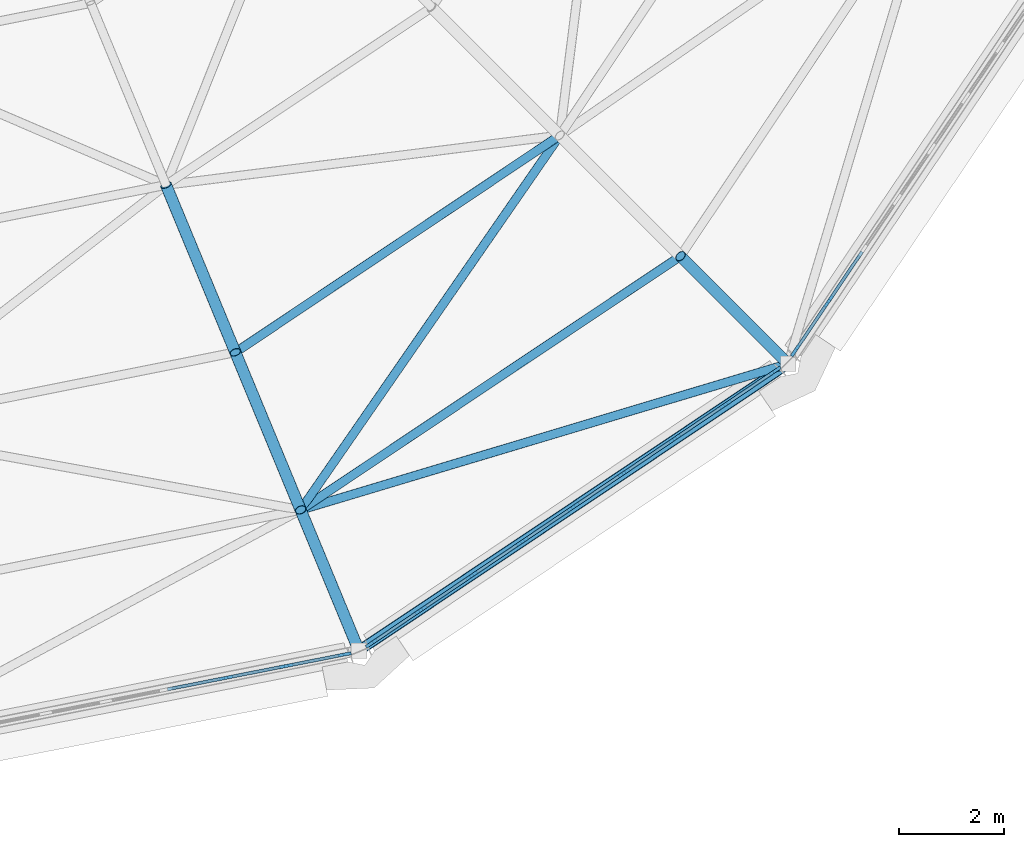
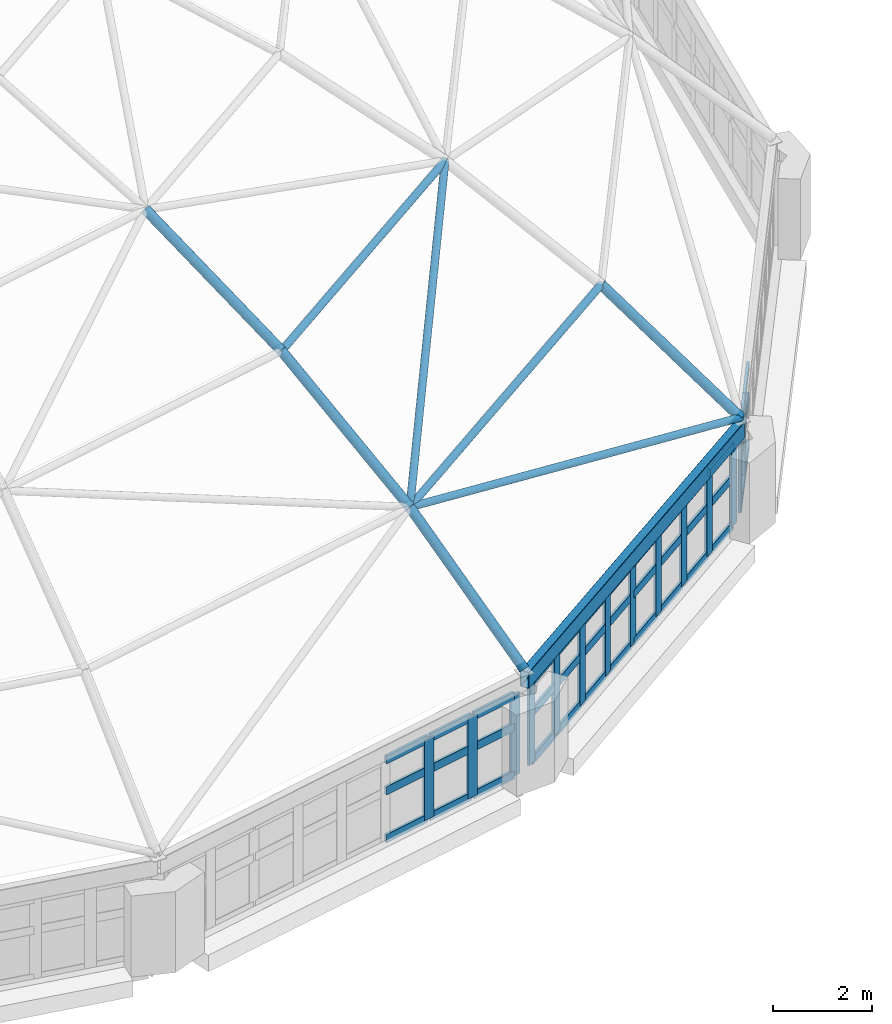
# One storey, part 14 of 68: 61 members, 1 beam, 3 elements without a shape of their own.
"""IFC4 building model written with IfcOpenShell, lengths in metres."""

from ifc_helpers import new_model, si_unit, direction, frame, origin, origin_2d, place, context, subcontext, project, spatial, rectangle, hollow_rectangle, hollow_circle, extrude, material, material_profile, profile_set, type_object, element, aggregate, save


model = new_model("IFC4")

# Units and contexts
model_context = context("Model", 3, precision=1e-05, world=origin(), true_north=direction((0.0, 1.0)))
body_context = subcontext(model_context, "Body", "Model", "MODEL_VIEW")
ifc_project = project(units=[si_unit("LENGTHUNIT", "METRE"), si_unit("AREAUNIT", "SQUARE_METRE"), si_unit("VOLUMEUNIT", "CUBIC_METRE"), si_unit("PLANEANGLEUNIT", "RADIAN"), si_unit("MASSUNIT", "GRAM", prefix="KILO")], contexts=[model_context])

# Site, building, storey
site_placement = place(None, origin())
site = spatial("IfcSite", under=ifc_project, at=site_placement, CompositionType="ELEMENT")
building_placement = place(site_placement, origin())
building = spatial("IfcBuilding", under=site, at=building_placement, Name="Kupolbacken Congress Centre", CompositionType="ELEMENT")
storey_placement = place(building_placement, frame((0.0, 0.0, 25.199951171875)))
storey = spatial("IfcBuildingStorey", under=building, at=storey_placement, Name="L07", CompositionType="ELEMENT", Elevation=25.199951171875)

# Beam
ifc_material_1 = material(Name="Steel S355", Category="steel")
ifc_material_profile_1 = material_profile(ifc_material_1, hollow_rectangle(XDim=0.199951171875, YDim=0.39990234375, WallThickness=0.012451171875, InnerFilletRadius=0.012451171875, OuterFilletRadius=0.018798828125, at=origin_2d()), Name="RHS 400 x 200 x 12.5")
ifc_profile_set_1 = profile_set([ifc_material_profile_1], Name="Steel S355")
beam_type = type_object("IfcBeamType", Name="B19 ring beam RHS 400 x 200 x 12.5", PredefinedType="BEAM", material=ifc_profile_set_1)
beam_placement = place(storey_placement, frame((52.860107421875, 63.12939453125, 2.590087890625), z_axis=(0.831474515513, 0.555562894777, 0.0), x_axis=(-0.555562894777, 0.831474515513, 0.0)))
element("IfcBeam", 1, at=beam_placement, inside=storey, type_object=beam_type, Name="DM/RB/14", PredefinedType="BEAM", context=body_context, shape_type="SweptSolid", body=[
    extrude(hollow_rectangle(XDim=0.199951171875, YDim=0.39990234375, WallThickness=0.012451171875, InnerFilletRadius=0.012451171875, OuterFilletRadius=0.018798828125, at=origin_2d()), origin(), (0.0, 0.0, 1.0), 9.792724609375),
])

# Members
ifc_material_2 = material(Name="Steel S355", Category="steel")
ifc_material_profile_2 = material_profile(ifc_material_2, hollow_circle(Radius=0.109619140625, WallThickness=0.010009765625, at=origin_2d()), Name="CHS 219.1 x 10")
ifc_profile_set_2 = profile_set([ifc_material_profile_2], Name="Steel S355")
member_type_1 = type_object("IfcMemberType", Name="M15 dome rib CHS 219.1 x 10", PredefinedType="BRACE", material=ifc_profile_set_2)
member_1_placement = place(storey_placement, frame((52.843505859375, 63.1181640625, 2.86279296875), z_axis=(-0.278245064501, 0.671889897228, 0.686399045806), x_axis=(-0.923909109827, -0.382612018603, 0.0)))
element("IfcMember", 2, at=member_1_placement, inside=storey, type_object=member_type_1, Name="DM/RIB01-14", PredefinedType="BRACE", context=body_context, shape_type="SweptSolid", body=[
    extrude(hollow_circle(Radius=0.109619140625, WallThickness=0.010009765625, at=origin_2d()), origin(), (0.0, 0.0, 1.0), 3.988037109375),
])
member_2_placement = place(storey_placement, frame((61.01904296875, 68.580810546875, 2.86279296875), z_axis=(-0.51419137092, 0.514252591467, 0.686404768515), x_axis=(-0.707148872128, -0.707064687739, 0.0)))
element("IfcMember", 3, at=member_2_placement, inside=storey, type_object=member_type_1, Name="DM/RIB01-15", PredefinedType="BRACE", context=body_context, shape_type="SweptSolid", body=[
    extrude(hollow_circle(Radius=0.109619140625, WallThickness=0.010009765625, at=origin_2d()), origin(), (0.0, 0.0, 1.0), 3.98779296875),
])
member_3_placement = place(storey_placement, frame((51.73388671875, 65.797607421875, 5.60009765625), z_axis=(-0.305577803829, 0.737729845207, 0.60197747574), x_axis=(-0.923879489751, -0.382683535598, 0.0)))
element("IfcMember", 4, at=member_3_placement, inside=storey, type_object=member_type_1, Name="DM/RIB02-14", PredefinedType="BRACE", context=body_context, shape_type="SweptSolid", body=[
    extrude(hollow_circle(Radius=0.109619140625, WallThickness=0.010009765625, at=origin_2d()), origin(), (0.0, 0.0, 1.0), 4.06982421875),
])
member_4_placement = place(storey_placement, frame((50.490234375, 68.800048828125, 8.050048828125), z_axis=(-0.331079277244, 0.799291982933, 0.501516538311), x_axis=(-0.923878838758, -0.38268510723, 0.0)))
element("IfcMember", 5, at=member_4_placement, inside=storey, type_object=member_type_1, Name="DM/RIB03-14", PredefinedType="BRACE", context=body_context, shape_type="SweptSolid", body=[
    extrude(hollow_circle(Radius=0.109619140625, WallThickness=0.010009765625, at=origin_2d()), origin(), (0.0, 0.0, 1.0), 3.98779296875),
])
ifc_material_3 = material(Name="Steel S355", Category="steel")
ifc_material_profile_3 = material_profile(ifc_material_3, hollow_circle(Radius=0.084228515625, WallThickness=0.008056640625, at=origin_2d()), Name="CHS 168.3 x 8")
ifc_profile_set_3 = profile_set([ifc_material_profile_3], Name="Steel S355")
member_type_2 = type_object("IfcMemberType", Name="M16 dome rib CHS 168.3 x 8", PredefinedType="BRACE", material=ifc_profile_set_3)
member_5_placement = place(storey_placement, frame((51.73388671875, 65.797607421875, 5.60009765625), z_axis=(0.92184175876, 0.276319837239, -0.271762983783), x_axis=(-0.287126051842, 0.95789280734, 0.0)))
element("IfcMember", 6, at=member_5_placement, inside=storey, type_object=member_type_2, Name="DM/DIA01-14", PredefinedType="BRACE", context=body_context, shape_type="SweptSolid", body=[
    extrude(hollow_circle(Radius=0.084228515625, WallThickness=0.008056640625, at=origin_2d()), origin(), (0.0, 0.0, 1.0), 10.072509765625),
])
member_6_placement = place(storey_placement, frame((51.73388671875, 65.797607421875, 5.60009765625), z_axis=(0.547698245292, 0.791291238363, 0.271817600964), x_axis=(-0.822249944467, 0.569126549041, 0.0)))
element("IfcMember", 7, at=member_6_placement, inside=storey, type_object=member_type_2, Name="DM/DIA02-14", PredefinedType="BRACE", context=body_context, shape_type="SweptSolid", body=[
    extrude(hollow_circle(Radius=0.084228515625, WallThickness=0.008056640625, at=origin_2d()), origin(), (0.0, 0.0, 1.0), 9.01318359375),
])
ifc_material_4 = material(Name="Steel S355", Category="steel")
ifc_material_profile_4 = material_profile(ifc_material_4, hollow_circle(Radius=0.084228515625, WallThickness=0.008056640625, at=origin_2d()), Name="CHS 168.3 x 8")
ifc_profile_set_4 = profile_set([ifc_material_profile_4], Name="Steel S355")
member_type_3 = type_object("IfcMemberType", Name="M17 dome ring CHS 168.3 x 8", PredefinedType="BRACE", material=ifc_profile_set_4)
member_7_placement = place(storey_placement, frame((51.73388671875, 65.797607421875, 5.60009765625), z_axis=(0.831471395516, 0.555567564243, 0.0), x_axis=(-0.555567564243, 0.831471395516, 0.0)))
element("IfcMember", 8, at=member_7_placement, inside=storey, type_object=member_type_3, Name="DM/RNG01-14", PredefinedType="BRACE", context=body_context, shape_type="SweptSolid", body=[
    extrude(hollow_circle(Radius=0.084228515625, WallThickness=0.008056640625, at=origin_2d()), origin(), (0.0, 0.0, 1.0), 8.700927734375),
])
member_8_placement = place(storey_placement, frame((50.490234375, 68.800048828125, 8.050048828125), z_axis=(0.831458597311, 0.555586717766, 0.0), x_axis=(-0.555586717766, 0.831458597311, 0.0)))
element("IfcMember", 9, at=member_8_placement, inside=storey, type_object=member_type_3, Name="DM/RNG02-14", PredefinedType="BRACE", context=body_context, shape_type="SweptSolid", body=[
    extrude(hollow_circle(Radius=0.084228515625, WallThickness=0.008056640625, at=origin_2d()), origin(), (0.0, 0.0, 1.0), 7.432861328125),
])

# Curtain wall, members
ifc_material_5 = material(Name="Aluminium mullion-transom frame with glass", Category="aluminium")
curtain_wall_type = type_object("IfcCurtainWallType", Name="CW3 curtain wall 9830x3600", PredefinedType="NOTDEFINED", material=ifc_material_5)
curtain_wall_1_placement = place(storey_placement, origin())
curtain_wall_1 = element("IfcCurtainWall", 10, at=curtain_wall_1_placement, inside=storey, type_object=curtain_wall_type, Name="E/P/drum/cw/L07/04", PredefinedType="NOTDEFINED")
ifc_material_6 = material(Name="Aluminium alloy", Category="aluminium")
ifc_material_profile_5 = material_profile(ifc_material_6, rectangle(XDim=0.06005859375, YDim=0.25, at=origin_2d()), Name="60 x 250")
ifc_profile_set_5 = profile_set([ifc_material_profile_5], Name="Aluminium alloy")
member_type_4 = type_object("IfcMemberType", Name="MU3 mullion 60x250", PredefinedType="MULLION", material=ifc_profile_set_5)
member_9_placement = place(storey_placement, frame((50.31494140625, 62.600830078125, 0.400146484375), z_axis=(0.0, 0.0, 1.0), x_axis=(-0.193182327812, 0.981162875481, 0.0)))
member_9 = element("IfcMember", 11, at=member_9_placement, type_object=member_type_4, Name="CW3 mullion 7", PredefinedType="MULLION", context=body_context, shape_type="SweptSolid", body=[
    extrude(rectangle(XDim=0.06005859375, YDim=0.25, at=origin_2d()), origin(), (0.0, 0.0, 1.0), 1.989990234375),
])
member_10_placement = place(storey_placement, frame((51.459716796875, 62.826171875, 0.400146484375), z_axis=(0.0, 0.0, 1.0), x_axis=(-0.193182327812, 0.981162875481, 0.0)))
member_10 = element("IfcMember", 12, at=member_10_placement, type_object=member_type_4, Name="CW3 mullion 8", PredefinedType="MULLION", context=body_context, shape_type="SweptSolid", body=[
    extrude(rectangle(XDim=0.06005859375, YDim=0.25, at=origin_2d()), origin(), (0.0, 0.0, 1.0), 1.989990234375),
])
member_11_placement = place(storey_placement, frame((52.5751953125, 63.0458984375, 0.400146484375), z_axis=(0.0, 0.0, 1.0), x_axis=(-0.193182327812, 0.981162875481, 0.0)))
member_11 = element("IfcMember", 13, at=member_11_placement, type_object=member_type_4, Name="CW3 mullion 9", PredefinedType="MULLION", context=body_context, shape_type="SweptSolid", body=[
    extrude(rectangle(XDim=0.06005859375, YDim=0.25, at=origin_2d()), origin(), (0.0, 0.0, 1.0), 1.989990234375),
])

curtain_wall_2_placement = place(storey_placement, origin())
curtain_wall_2 = element("IfcCurtainWall", 14, at=curtain_wall_2_placement, inside=storey, type_object=curtain_wall_type, Name="E/P/drum/cw/L07/05", PredefinedType="NOTDEFINED")
member_12_placement = place(storey_placement, frame((53.08203125, 63.256591796875, 0.400146484375), z_axis=(0.0, 0.0, 1.0), x_axis=(-0.559385512775, 0.82890762338, 0.0)))
member_12 = element("IfcMember", 15, at=member_12_placement, type_object=member_type_4, Name="CW3 mullion 1", PredefinedType="MULLION", context=body_context, shape_type="SweptSolid", body=[
    extrude(rectangle(XDim=0.06005859375, YDim=0.25, at=origin_2d()), origin(), (0.0, 0.0, 1.0), 1.989990234375),
])
member_13_placement = place(storey_placement, frame((54.024169921875, 63.892333984375, 0.400146484375), z_axis=(0.0, 0.0, 1.0), x_axis=(-0.559385512775, 0.82890762338, 0.0)))
member_13 = element("IfcMember", 16, at=member_13_placement, type_object=member_type_4, Name="CW3 mullion 2", PredefinedType="MULLION", context=body_context, shape_type="SweptSolid", body=[
    extrude(rectangle(XDim=0.06005859375, YDim=0.25, at=origin_2d()), origin(), (0.0, 0.0, 1.0), 1.989990234375),
])
member_14_placement = place(storey_placement, frame((54.9912109375, 64.544921875, 0.400146484375), z_axis=(0.0, 0.0, 1.0), x_axis=(-0.559385512775, 0.82890762338, 0.0)))
member_14 = element("IfcMember", 17, at=member_14_placement, type_object=member_type_4, Name="CW3 mullion 3", PredefinedType="MULLION", context=body_context, shape_type="SweptSolid", body=[
    extrude(rectangle(XDim=0.06005859375, YDim=0.25, at=origin_2d()), origin(), (0.0, 0.0, 1.0), 1.989990234375),
])
member_15_placement = place(storey_placement, frame((55.9580078125, 65.197509765625, 0.400146484375), z_axis=(0.0, 0.0, 1.0), x_axis=(-0.559385512775, 0.82890762338, 0.0)))
member_15 = element("IfcMember", 18, at=member_15_placement, type_object=member_type_4, Name="CW3 mullion 4", PredefinedType="MULLION", context=body_context, shape_type="SweptSolid", body=[
    extrude(rectangle(XDim=0.06005859375, YDim=0.25, at=origin_2d()), origin(), (0.0, 0.0, 1.0), 1.989990234375),
])
member_16_placement = place(storey_placement, frame((56.925048828125, 65.85009765625, 0.400146484375), z_axis=(0.0, 0.0, 1.0), x_axis=(-0.559385512775, 0.82890762338, 0.0)))
member_16 = element("IfcMember", 19, at=member_16_placement, type_object=member_type_4, Name="CW3 mullion 5", PredefinedType="MULLION", context=body_context, shape_type="SweptSolid", body=[
    extrude(rectangle(XDim=0.06005859375, YDim=0.25, at=origin_2d()), origin(), (0.0, 0.0, 1.0), 1.989990234375),
])
member_17_placement = place(storey_placement, frame((57.891845703125, 66.50244140625, 0.400146484375), z_axis=(0.0, 0.0, 1.0), x_axis=(-0.559385512775, 0.82890762338, 0.0)))
member_17 = element("IfcMember", 20, at=member_17_placement, type_object=member_type_4, Name="CW3 mullion 6", PredefinedType="MULLION", context=body_context, shape_type="SweptSolid", body=[
    extrude(rectangle(XDim=0.06005859375, YDim=0.25, at=origin_2d()), origin(), (0.0, 0.0, 1.0), 1.989990234375),
])
member_18_placement = place(storey_placement, frame((58.85888671875, 67.155029296875, 0.400146484375), z_axis=(0.0, 0.0, 1.0), x_axis=(-0.559385512775, 0.82890762338, 0.0)))
member_18 = element("IfcMember", 21, at=member_18_placement, type_object=member_type_4, Name="CW3 mullion 7", PredefinedType="MULLION", context=body_context, shape_type="SweptSolid", body=[
    extrude(rectangle(XDim=0.06005859375, YDim=0.25, at=origin_2d()), origin(), (0.0, 0.0, 1.0), 1.989990234375),
])
member_19_placement = place(storey_placement, frame((59.825927734375, 67.8076171875, 0.400146484375), z_axis=(0.0, 0.0, 1.0), x_axis=(-0.559385512775, 0.82890762338, 0.0)))
member_19 = element("IfcMember", 22, at=member_19_placement, type_object=member_type_4, Name="CW3 mullion 8", PredefinedType="MULLION", context=body_context, shape_type="SweptSolid", body=[
    extrude(rectangle(XDim=0.06005859375, YDim=0.25, at=origin_2d()), origin(), (0.0, 0.0, 1.0), 1.989990234375),
])
member_20_placement = place(storey_placement, frame((60.767822265625, 68.443359375, 0.400146484375), z_axis=(0.0, 0.0, 1.0), x_axis=(-0.559385512775, 0.82890762338, 0.0)))
member_20 = element("IfcMember", 23, at=member_20_placement, type_object=member_type_4, Name="CW3 mullion 9", PredefinedType="MULLION", context=body_context, shape_type="SweptSolid", body=[
    extrude(rectangle(XDim=0.06005859375, YDim=0.25, at=origin_2d()), origin(), (0.0, 0.0, 1.0), 1.989990234375),
])

curtain_wall_3_placement = place(storey_placement, origin())
curtain_wall_3 = element("IfcCurtainWall", 24, at=curtain_wall_3_placement, inside=storey, type_object=curtain_wall_type, Name="E/P/drum/cw/L07/06", PredefinedType="NOTDEFINED")
member_21_placement = place(storey_placement, frame((61.15673828125, 68.83203125, 0.400146484375), z_axis=(0.0, 0.0, 1.0), x_axis=(-0.82890762338, 0.559385512775, 0.0)))
member_21 = element("IfcMember", 25, at=member_21_placement, type_object=member_type_4, Name="CW3 mullion 1", PredefinedType="MULLION", context=body_context, shape_type="SweptSolid", body=[
    extrude(rectangle(XDim=0.06005859375, YDim=0.25, at=origin_2d()), origin(), (0.0, 0.0, 1.0), 1.989990234375),
])
member_22_placement = place(storey_placement, frame((61.79248046875, 69.774169921875, 0.400146484375), z_axis=(0.0, 0.0, 1.0), x_axis=(-0.82890762338, 0.559385512775, 0.0)))
member_22 = element("IfcMember", 26, at=member_22_placement, type_object=member_type_4, Name="CW3 mullion 2", PredefinedType="MULLION", context=body_context, shape_type="SweptSolid", body=[
    extrude(rectangle(XDim=0.06005859375, YDim=0.25, at=origin_2d()), origin(), (0.0, 0.0, 1.0), 1.989990234375),
])

# Member
ifc_material_7 = material(Name="Aluminium alloy", Category="aluminium")
ifc_material_profile_6 = material_profile(ifc_material_7, rectangle(XDim=0.06005859375, YDim=0.199951171875, at=origin_2d()), Name="60 x 200")
ifc_profile_set_6 = profile_set([ifc_material_profile_6], Name="Aluminium alloy")
member_type_5 = type_object("IfcMemberType", Name="TR3 transom 60x200", PredefinedType="MULLION", material=ifc_profile_set_6)
member_23_placement = place(storey_placement, frame((49.199462890625, 62.381103515625, 0.429931640625), z_axis=(0.981153342462, 0.193230739208, 0.0), x_axis=(-0.193230739208, 0.981153342462, 0.0)))
member_23 = element("IfcMember", 27, at=member_23_placement, type_object=member_type_5, Name="CW3 transom 6.1", PredefinedType="MULLION", context=body_context, shape_type="SweptSolid", body=[
    extrude(rectangle(XDim=0.06005859375, YDim=0.199951171875, at=origin_2d()), origin(), (0.0, 0.0, 1.0), 1.106689453125),
])

member_24_placement = place(storey_placement, frame((49.199462890625, 62.381103515625, 1.60009765625), z_axis=(0.981153342462, 0.193230739208, 0.0), x_axis=(-0.193230739208, 0.981153342462, 0.0)))
member_24 = element("IfcMember", 28, at=member_24_placement, type_object=member_type_5, Name="CW3 transom 6.2", PredefinedType="MULLION", context=body_context, shape_type="SweptSolid", body=[
    extrude(rectangle(XDim=0.06005859375, YDim=0.199951171875, at=origin_2d()), origin(), (0.0, 0.0, 1.0), 1.106689453125),
])

member_25_placement = place(storey_placement, frame((49.199462890625, 62.381103515625, 2.360107421875), z_axis=(0.981153342462, 0.193230739208, 0.0), x_axis=(-0.193230739208, 0.981153342462, 0.0)))
member_25 = element("IfcMember", 29, at=member_25_placement, type_object=member_type_5, Name="CW3 transom 6.3", PredefinedType="MULLION", context=body_context, shape_type="SweptSolid", body=[
    extrude(rectangle(XDim=0.06005859375, YDim=0.199951171875, at=origin_2d()), origin(), (0.0, 0.0, 1.0), 1.106689453125),
])

member_26_placement = place(storey_placement, frame((50.34423828125, 62.606689453125, 0.429931640625), z_axis=(0.981161575945, 0.193188927968, 0.0), x_axis=(-0.193188927968, 0.981161575945, 0.0)))
member_26 = element("IfcMember", 30, at=member_26_placement, type_object=member_type_5, Name="CW3 transom 7.1", PredefinedType="MULLION", context=body_context, shape_type="SweptSolid", body=[
    extrude(rectangle(XDim=0.06005859375, YDim=0.199951171875, at=origin_2d()), origin(), (0.0, 0.0, 1.0), 1.10693359375),
])

member_27_placement = place(storey_placement, frame((50.34423828125, 62.606689453125, 1.60009765625), z_axis=(0.981161575945, 0.193188927968, 0.0), x_axis=(-0.193188927968, 0.981161575945, 0.0)))
member_27 = element("IfcMember", 31, at=member_27_placement, type_object=member_type_5, Name="CW3 transom 7.2", PredefinedType="MULLION", context=body_context, shape_type="SweptSolid", body=[
    extrude(rectangle(XDim=0.06005859375, YDim=0.199951171875, at=origin_2d()), origin(), (0.0, 0.0, 1.0), 1.10693359375),
])

member_28_placement = place(storey_placement, frame((50.34423828125, 62.606689453125, 2.360107421875), z_axis=(0.981161575945, 0.193188927968, 0.0), x_axis=(-0.193188927968, 0.981161575945, 0.0)))
member_28 = element("IfcMember", 32, at=member_28_placement, type_object=member_type_5, Name="CW3 transom 7.3", PredefinedType="MULLION", context=body_context, shape_type="SweptSolid", body=[
    extrude(rectangle(XDim=0.06005859375, YDim=0.199951171875, at=origin_2d()), origin(), (0.0, 0.0, 1.0), 1.10693359375),
])

member_29_placement = place(storey_placement, frame((51.4892578125, 62.83203125, 0.429931640625), z_axis=(0.981169108955, 0.193150665626, 0.0), x_axis=(-0.193150665626, 0.981169108955, 0.0)))
member_29 = element("IfcMember", 33, at=member_29_placement, type_object=member_type_5, Name="CW3 transom 8.1", PredefinedType="MULLION", context=body_context, shape_type="SweptSolid", body=[
    extrude(rectangle(XDim=0.06005859375, YDim=0.199951171875, at=origin_2d()), origin(), (0.0, 0.0, 1.0), 1.076904296875),
])

member_30_placement = place(storey_placement, frame((51.4892578125, 62.83203125, 1.60009765625), z_axis=(0.981169108955, 0.193150665626, 0.0), x_axis=(-0.193150665626, 0.981169108955, 0.0)))
member_30 = element("IfcMember", 34, at=member_30_placement, type_object=member_type_5, Name="CW3 transom 8.2", PredefinedType="MULLION", context=body_context, shape_type="SweptSolid", body=[
    extrude(rectangle(XDim=0.06005859375, YDim=0.199951171875, at=origin_2d()), origin(), (0.0, 0.0, 1.0), 1.076904296875),
])

member_31_placement = place(storey_placement, frame((51.4892578125, 62.83203125, 2.360107421875), z_axis=(0.981169108955, 0.193150665626, 0.0), x_axis=(-0.193150665626, 0.981169108955, 0.0)))
member_31 = element("IfcMember", 35, at=member_31_placement, type_object=member_type_5, Name="CW3 transom 8.3", PredefinedType="MULLION", context=body_context, shape_type="SweptSolid", body=[
    extrude(rectangle(XDim=0.06005859375, YDim=0.199951171875, at=origin_2d()), origin(), (0.0, 0.0, 1.0), 1.076904296875),
])

aggregate(curtain_wall_1, [member_9, member_10, member_11, member_23, member_24, member_25, member_26, member_27, member_28, member_29, member_30, member_31])

member_32_placement = place(storey_placement, frame((53.10693359375, 63.2734375, 0.429931640625), z_axis=(0.828966975125, 0.559297554216, 0.0), x_axis=(-0.559297554216, 0.828966975125, 0.0)))
member_32 = element("IfcMember", 36, at=member_32_placement, type_object=member_type_5, Name="CW3 transom 1.1", PredefinedType="MULLION", context=body_context, shape_type="SweptSolid", body=[
    extrude(rectangle(XDim=0.06005859375, YDim=0.199951171875, at=origin_2d()), origin(), (0.0, 0.0, 1.0), 1.076416015625),
])

member_33_placement = place(storey_placement, frame((53.10693359375, 63.2734375, 1.60009765625), z_axis=(0.828966975125, 0.559297554216, 0.0), x_axis=(-0.559297554216, 0.828966975125, 0.0)))
member_33 = element("IfcMember", 37, at=member_33_placement, type_object=member_type_5, Name="CW3 transom 1.2", PredefinedType="MULLION", context=body_context, shape_type="SweptSolid", body=[
    extrude(rectangle(XDim=0.06005859375, YDim=0.199951171875, at=origin_2d()), origin(), (0.0, 0.0, 1.0), 1.076416015625),
])

member_34_placement = place(storey_placement, frame((53.10693359375, 63.2734375, 2.360107421875), z_axis=(0.828966975125, 0.559297554216, 0.0), x_axis=(-0.559297554216, 0.828966975125, 0.0)))
member_34 = element("IfcMember", 38, at=member_34_placement, type_object=member_type_5, Name="CW3 transom 1.3", PredefinedType="MULLION", context=body_context, shape_type="SweptSolid", body=[
    extrude(rectangle(XDim=0.06005859375, YDim=0.199951171875, at=origin_2d()), origin(), (0.0, 0.0, 1.0), 1.076416015625),
])

member_35_placement = place(storey_placement, frame((54.049072265625, 63.9091796875, 0.429931640625), z_axis=(0.828948418317, 0.559325057342, 0.0), x_axis=(-0.559325057342, 0.828948418317, 0.0)))
member_35 = element("IfcMember", 39, at=member_35_placement, type_object=member_type_5, Name="CW3 transom 2.1", PredefinedType="MULLION", context=body_context, shape_type="SweptSolid", body=[
    extrude(rectangle(XDim=0.06005859375, YDim=0.199951171875, at=origin_2d()), origin(), (0.0, 0.0, 1.0), 1.1064453125),
])

member_36_placement = place(storey_placement, frame((54.049072265625, 63.9091796875, 1.60009765625), z_axis=(0.828948418317, 0.559325057342, 0.0), x_axis=(-0.559325057342, 0.828948418317, 0.0)))
member_36 = element("IfcMember", 40, at=member_36_placement, type_object=member_type_5, Name="CW3 transom 2.2", PredefinedType="MULLION", context=body_context, shape_type="SweptSolid", body=[
    extrude(rectangle(XDim=0.06005859375, YDim=0.199951171875, at=origin_2d()), origin(), (0.0, 0.0, 1.0), 1.1064453125),
])

member_37_placement = place(storey_placement, frame((54.049072265625, 63.9091796875, 2.360107421875), z_axis=(0.828948418317, 0.559325057342, 0.0), x_axis=(-0.559325057342, 0.828948418317, 0.0)))
member_37 = element("IfcMember", 41, at=member_37_placement, type_object=member_type_5, Name="CW3 transom 2.3", PredefinedType="MULLION", context=body_context, shape_type="SweptSolid", body=[
    extrude(rectangle(XDim=0.06005859375, YDim=0.199951171875, at=origin_2d()), origin(), (0.0, 0.0, 1.0), 1.1064453125),
])

member_38_placement = place(storey_placement, frame((55.015869140625, 64.561767578125, 0.429931640625), z_axis=(0.828948418317, 0.559325057342, 0.0), x_axis=(-0.559325057342, 0.828948418317, 0.0)))
member_38 = element("IfcMember", 42, at=member_38_placement, type_object=member_type_5, Name="CW3 transom 3.1", PredefinedType="MULLION", context=body_context, shape_type="SweptSolid", body=[
    extrude(rectangle(XDim=0.06005859375, YDim=0.199951171875, at=origin_2d()), origin(), (0.0, 0.0, 1.0), 1.1064453125),
])

member_39_placement = place(storey_placement, frame((55.015869140625, 64.561767578125, 1.60009765625), z_axis=(0.828948418317, 0.559325057342, 0.0), x_axis=(-0.559325057342, 0.828948418317, 0.0)))
member_39 = element("IfcMember", 43, at=member_39_placement, type_object=member_type_5, Name="CW3 transom 3.2", PredefinedType="MULLION", context=body_context, shape_type="SweptSolid", body=[
    extrude(rectangle(XDim=0.06005859375, YDim=0.199951171875, at=origin_2d()), origin(), (0.0, 0.0, 1.0), 1.1064453125),
])

member_40_placement = place(storey_placement, frame((55.015869140625, 64.561767578125, 2.360107421875), z_axis=(0.828948418317, 0.559325057342, 0.0), x_axis=(-0.559325057342, 0.828948418317, 0.0)))
member_40 = element("IfcMember", 44, at=member_40_placement, type_object=member_type_5, Name="CW3 transom 3.3", PredefinedType="MULLION", context=body_context, shape_type="SweptSolid", body=[
    extrude(rectangle(XDim=0.06005859375, YDim=0.199951171875, at=origin_2d()), origin(), (0.0, 0.0, 1.0), 1.1064453125),
])

member_41_placement = place(storey_placement, frame((55.98291015625, 65.21435546875, 0.429931640625), z_axis=(0.828948418317, 0.559325057342, 0.0), x_axis=(-0.559325057342, 0.828948418317, 0.0)))
member_41 = element("IfcMember", 45, at=member_41_placement, type_object=member_type_5, Name="CW3 transom 4.1", PredefinedType="MULLION", context=body_context, shape_type="SweptSolid", body=[
    extrude(rectangle(XDim=0.06005859375, YDim=0.199951171875, at=origin_2d()), origin(), (0.0, 0.0, 1.0), 1.1064453125),
])

member_42_placement = place(storey_placement, frame((55.98291015625, 65.21435546875, 1.60009765625), z_axis=(0.828948418317, 0.559325057342, 0.0), x_axis=(-0.559325057342, 0.828948418317, 0.0)))
member_42 = element("IfcMember", 46, at=member_42_placement, type_object=member_type_5, Name="CW3 transom 4.2", PredefinedType="MULLION", context=body_context, shape_type="SweptSolid", body=[
    extrude(rectangle(XDim=0.06005859375, YDim=0.199951171875, at=origin_2d()), origin(), (0.0, 0.0, 1.0), 1.1064453125),
])

member_43_placement = place(storey_placement, frame((55.98291015625, 65.21435546875, 2.360107421875), z_axis=(0.828948418317, 0.559325057342, 0.0), x_axis=(-0.559325057342, 0.828948418317, 0.0)))
member_43 = element("IfcMember", 47, at=member_43_placement, type_object=member_type_5, Name="CW3 transom 4.3", PredefinedType="MULLION", context=body_context, shape_type="SweptSolid", body=[
    extrude(rectangle(XDim=0.06005859375, YDim=0.199951171875, at=origin_2d()), origin(), (0.0, 0.0, 1.0), 1.1064453125),
])

member_44_placement = place(storey_placement, frame((56.949951171875, 65.86669921875, 0.429931640625), z_axis=(0.8288461165, 0.559476643983, 0.0), x_axis=(-0.559476643983, 0.8288461165, 0.0)))
member_44 = element("IfcMember", 48, at=member_44_placement, type_object=member_type_5, Name="CW3 transom 5.1", PredefinedType="MULLION", context=body_context, shape_type="SweptSolid", body=[
    extrude(rectangle(XDim=0.06005859375, YDim=0.199951171875, at=origin_2d()), origin(), (0.0, 0.0, 1.0), 1.106689453125),
])

member_45_placement = place(storey_placement, frame((56.949951171875, 65.86669921875, 1.60009765625), z_axis=(0.8288461165, 0.559476643983, 0.0), x_axis=(-0.559476643983, 0.8288461165, 0.0)))
member_45 = element("IfcMember", 49, at=member_45_placement, type_object=member_type_5, Name="CW3 transom 5.2", PredefinedType="MULLION", context=body_context, shape_type="SweptSolid", body=[
    extrude(rectangle(XDim=0.06005859375, YDim=0.199951171875, at=origin_2d()), origin(), (0.0, 0.0, 1.0), 1.106689453125),
])

member_46_placement = place(storey_placement, frame((56.949951171875, 65.86669921875, 2.360107421875), z_axis=(0.8288461165, 0.559476643983, 0.0), x_axis=(-0.559476643983, 0.8288461165, 0.0)))
member_46 = element("IfcMember", 50, at=member_46_placement, type_object=member_type_5, Name="CW3 transom 5.3", PredefinedType="MULLION", context=body_context, shape_type="SweptSolid", body=[
    extrude(rectangle(XDim=0.06005859375, YDim=0.199951171875, at=origin_2d()), origin(), (0.0, 0.0, 1.0), 1.106689453125),
])

member_47_placement = place(storey_placement, frame((57.916748046875, 66.519287109375, 0.429931640625), z_axis=(0.828948418317, 0.559325057342, 0.0), x_axis=(-0.559325057342, 0.828948418317, 0.0)))
member_47 = element("IfcMember", 51, at=member_47_placement, type_object=member_type_5, Name="CW3 transom 6.1", PredefinedType="MULLION", context=body_context, shape_type="SweptSolid", body=[
    extrude(rectangle(XDim=0.06005859375, YDim=0.199951171875, at=origin_2d()), origin(), (0.0, 0.0, 1.0), 1.1064453125),
])

member_48_placement = place(storey_placement, frame((57.916748046875, 66.519287109375, 1.60009765625), z_axis=(0.828948418317, 0.559325057342, 0.0), x_axis=(-0.559325057342, 0.828948418317, 0.0)))
member_48 = element("IfcMember", 52, at=member_48_placement, type_object=member_type_5, Name="CW3 transom 6.2", PredefinedType="MULLION", context=body_context, shape_type="SweptSolid", body=[
    extrude(rectangle(XDim=0.06005859375, YDim=0.199951171875, at=origin_2d()), origin(), (0.0, 0.0, 1.0), 1.1064453125),
])

member_49_placement = place(storey_placement, frame((57.916748046875, 66.519287109375, 2.360107421875), z_axis=(0.828948418317, 0.559325057342, 0.0), x_axis=(-0.559325057342, 0.828948418317, 0.0)))
member_49 = element("IfcMember", 53, at=member_49_placement, type_object=member_type_5, Name="CW3 transom 6.3", PredefinedType="MULLION", context=body_context, shape_type="SweptSolid", body=[
    extrude(rectangle(XDim=0.06005859375, YDim=0.199951171875, at=origin_2d()), origin(), (0.0, 0.0, 1.0), 1.1064453125),
])

member_50_placement = place(storey_placement, frame((58.8837890625, 67.171875, 0.429931640625), z_axis=(0.828948418317, 0.559325057342, 0.0), x_axis=(-0.559325057342, 0.828948418317, 0.0)))
member_50 = element("IfcMember", 54, at=member_50_placement, type_object=member_type_5, Name="CW3 transom 7.1", PredefinedType="MULLION", context=body_context, shape_type="SweptSolid", body=[
    extrude(rectangle(XDim=0.06005859375, YDim=0.199951171875, at=origin_2d()), origin(), (0.0, 0.0, 1.0), 1.1064453125),
])

member_51_placement = place(storey_placement, frame((58.8837890625, 67.171875, 1.60009765625), z_axis=(0.828948418317, 0.559325057342, 0.0), x_axis=(-0.559325057342, 0.828948418317, 0.0)))
member_51 = element("IfcMember", 55, at=member_51_placement, type_object=member_type_5, Name="CW3 transom 7.2", PredefinedType="MULLION", context=body_context, shape_type="SweptSolid", body=[
    extrude(rectangle(XDim=0.06005859375, YDim=0.199951171875, at=origin_2d()), origin(), (0.0, 0.0, 1.0), 1.1064453125),
])

member_52_placement = place(storey_placement, frame((58.8837890625, 67.171875, 2.360107421875), z_axis=(0.828948418317, 0.559325057342, 0.0), x_axis=(-0.559325057342, 0.828948418317, 0.0)))
member_52 = element("IfcMember", 56, at=member_52_placement, type_object=member_type_5, Name="CW3 transom 7.3", PredefinedType="MULLION", context=body_context, shape_type="SweptSolid", body=[
    extrude(rectangle(XDim=0.06005859375, YDim=0.199951171875, at=origin_2d()), origin(), (0.0, 0.0, 1.0), 1.1064453125),
])

member_53_placement = place(storey_placement, frame((59.8505859375, 67.824462890625, 0.429931640625), z_axis=(0.828966975125, 0.559297554216, 0.0), x_axis=(-0.559297554216, 0.828966975125, 0.0)))
member_53 = element("IfcMember", 57, at=member_53_placement, type_object=member_type_5, Name="CW3 transom 8.1", PredefinedType="MULLION", context=body_context, shape_type="SweptSolid", body=[
    extrude(rectangle(XDim=0.06005859375, YDim=0.199951171875, at=origin_2d()), origin(), (0.0, 0.0, 1.0), 1.076416015625),
])

member_54_placement = place(storey_placement, frame((59.8505859375, 67.824462890625, 1.60009765625), z_axis=(0.828966975125, 0.559297554216, 0.0), x_axis=(-0.559297554216, 0.828966975125, 0.0)))
member_54 = element("IfcMember", 58, at=member_54_placement, type_object=member_type_5, Name="CW3 transom 8.2", PredefinedType="MULLION", context=body_context, shape_type="SweptSolid", body=[
    extrude(rectangle(XDim=0.06005859375, YDim=0.199951171875, at=origin_2d()), origin(), (0.0, 0.0, 1.0), 1.076416015625),
])

member_55_placement = place(storey_placement, frame((59.8505859375, 67.824462890625, 2.360107421875), z_axis=(0.828966975125, 0.559297554216, 0.0), x_axis=(-0.559297554216, 0.828966975125, 0.0)))
member_55 = element("IfcMember", 59, at=member_55_placement, type_object=member_type_5, Name="CW3 transom 8.3", PredefinedType="MULLION", context=body_context, shape_type="SweptSolid", body=[
    extrude(rectangle(XDim=0.06005859375, YDim=0.199951171875, at=origin_2d()), origin(), (0.0, 0.0, 1.0), 1.076416015625),
])

aggregate(curtain_wall_2, [member_12, member_13, member_14, member_15, member_16, member_17, member_18, member_19, member_20, member_32, member_33, member_34, member_35, member_36, member_37, member_38, member_39, member_40, member_41, member_42, member_43, member_44, member_45, member_46, member_47, member_48, member_49, member_50, member_51, member_52, member_53, member_54, member_55])

member_56_placement = place(storey_placement, frame((61.17333984375, 68.85693359375, 0.429931640625), z_axis=(0.559453380842, 0.8288618188, 0.0), x_axis=(-0.8288618188, 0.559453380842, 0.0)))
member_56 = element("IfcMember", 60, at=member_56_placement, type_object=member_type_5, Name="CW3 transom 1.1", PredefinedType="MULLION", context=body_context, shape_type="SweptSolid", body=[
    extrude(rectangle(XDim=0.06005859375, YDim=0.199951171875, at=origin_2d()), origin(), (0.0, 0.0, 1.0), 1.07666015625),
])

member_57_placement = place(storey_placement, frame((61.17333984375, 68.85693359375, 1.60009765625), z_axis=(0.559453380842, 0.8288618188, 0.0), x_axis=(-0.8288618188, 0.559453380842, 0.0)))
member_57 = element("IfcMember", 61, at=member_57_placement, type_object=member_type_5, Name="CW3 transom 1.2", PredefinedType="MULLION", context=body_context, shape_type="SweptSolid", body=[
    extrude(rectangle(XDim=0.06005859375, YDim=0.199951171875, at=origin_2d()), origin(), (0.0, 0.0, 1.0), 1.07666015625),
])

member_58_placement = place(storey_placement, frame((61.17333984375, 68.85693359375, 2.360107421875), z_axis=(0.559453380842, 0.8288618188, 0.0), x_axis=(-0.8288618188, 0.559453380842, 0.0)))
member_58 = element("IfcMember", 62, at=member_58_placement, type_object=member_type_5, Name="CW3 transom 1.3", PredefinedType="MULLION", context=body_context, shape_type="SweptSolid", body=[
    extrude(rectangle(XDim=0.06005859375, YDim=0.199951171875, at=origin_2d()), origin(), (0.0, 0.0, 1.0), 1.07666015625),
])

member_59_placement = place(storey_placement, frame((61.80908203125, 69.799072265625, 0.429931640625), z_axis=(0.559476643983, 0.8288461165, 0.0), x_axis=(-0.8288461165, 0.559476643983, 0.0)))
member_59 = element("IfcMember", 63, at=member_59_placement, type_object=member_type_5, Name="CW3 transom 2.1", PredefinedType="MULLION", context=body_context, shape_type="SweptSolid", body=[
    extrude(rectangle(XDim=0.06005859375, YDim=0.199951171875, at=origin_2d()), origin(), (0.0, 0.0, 1.0), 1.106689453125),
])

member_60_placement = place(storey_placement, frame((61.80908203125, 69.799072265625, 1.60009765625), z_axis=(0.559476643983, 0.8288461165, 0.0), x_axis=(-0.8288461165, 0.559476643983, 0.0)))
member_60 = element("IfcMember", 64, at=member_60_placement, type_object=member_type_5, Name="CW3 transom 2.2", PredefinedType="MULLION", context=body_context, shape_type="SweptSolid", body=[
    extrude(rectangle(XDim=0.06005859375, YDim=0.199951171875, at=origin_2d()), origin(), (0.0, 0.0, 1.0), 1.106689453125),
])

member_61_placement = place(storey_placement, frame((61.80908203125, 69.799072265625, 2.360107421875), z_axis=(0.559476643983, 0.8288461165, 0.0), x_axis=(-0.8288461165, 0.559476643983, 0.0)))
member_61 = element("IfcMember", 65, at=member_61_placement, type_object=member_type_5, Name="CW3 transom 2.3", PredefinedType="MULLION", context=body_context, shape_type="SweptSolid", body=[
    extrude(rectangle(XDim=0.06005859375, YDim=0.199951171875, at=origin_2d()), origin(), (0.0, 0.0, 1.0), 1.106689453125),
])

aggregate(curtain_wall_3, [member_21, member_22, member_56, member_57, member_58, member_59, member_60, member_61])

save(model, "model.ifc")
